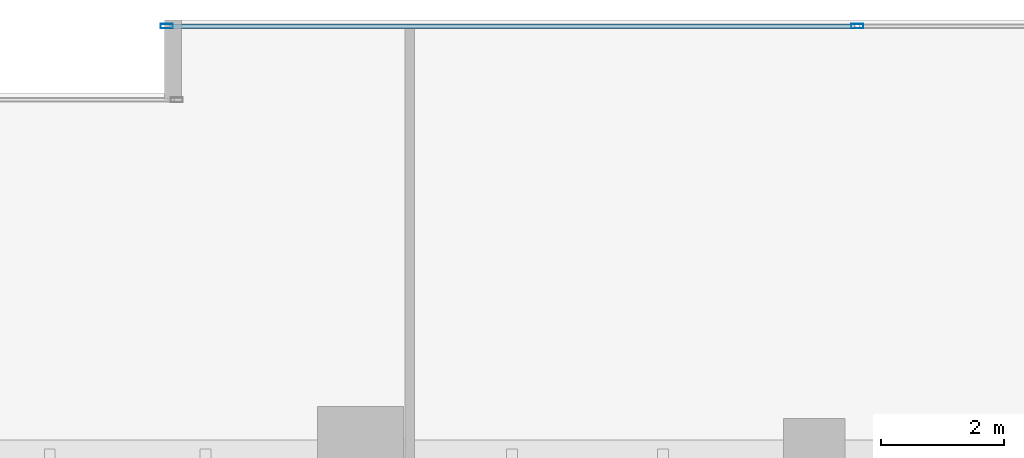
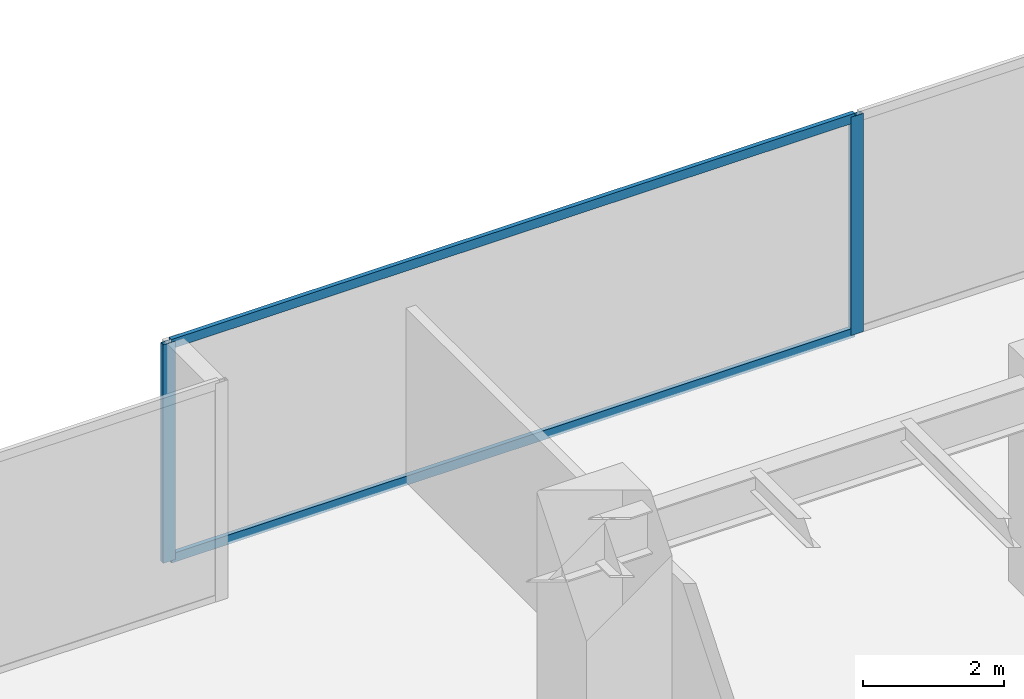
# One storey, part 22 of 35: 4 members, 1 element without a shape of its own.
"""IFC4 building model written with IfcOpenShell, lengths in metres."""

from ifc_helpers import new_model, si_unit, direction, frame, origin, origin_2d, place, context, subcontext, project, spatial, hollow_rectangle, extrude, source, transform, mapped, material, layer, layer_set, material_profile, profile_set, type_object, type_shapes, element, aggregate, save


model = new_model("IFC4")

# Units and contexts
model_context = context("Model", 3, precision=1e-05, world=origin(), true_north=direction((0.0, 1.0)))
body_context = subcontext(model_context, "Body", "Model", "MODEL_VIEW")
ifc_project = project(units=[si_unit("LENGTHUNIT", "METRE"), si_unit("AREAUNIT", "SQUARE_METRE"), si_unit("VOLUMEUNIT", "CUBIC_METRE"), si_unit("PLANEANGLEUNIT", "RADIAN"), si_unit("MASSUNIT", "GRAM", prefix="KILO")], contexts=[model_context])

# Site, building, storey
site_placement = place(None, origin())
site = spatial("IfcSite", under=ifc_project, at=site_placement, CompositionType="ELEMENT")
building_placement = place(site_placement, origin())
building = spatial("IfcBuilding", under=site, at=building_placement, Name="Haelvirn Gate Laboratories", CompositionType="ELEMENT")
storey_placement = place(building_placement, frame((0.0, 0.0, 58.0)))
storey = spatial("IfcBuildingStorey", under=building, at=storey_placement, Name="L14", CompositionType="ELEMENT", Elevation=58.0)

# Curtain wall, members
ifc_material_1 = material(Name="Anodised bronze unitised aluminium & triple low-E glass", Category="aluminium")
ifc_layer = layer(ifc_material_1, 0.18408203125, Name="CW-SYS-2")
ifc_layer_set = layer_set([ifc_layer], Name="Anodised bronze unitised aluminium & triple low-E glass")
curtain_wall_type = type_object("IfcCurtainWallType", Name="CW-SYS-2", PredefinedType="NOTDEFINED", material=ifc_layer_set)
curtain_wall_placement = place(storey_placement, origin())
curtain_wall = element("IfcCurtainWall", 1, at=curtain_wall_placement, inside=storey, type_object=curtain_wall_type, Name="L14 Unitised Curtain Wall CW-L14-P0-E10-1", PredefinedType="NOTDEFINED")
ifc_material_2 = material(Name="Extruded aluminium 6063-T6 (anodised bronze)", Category="aluminium")
ifc_material_profile_1 = material_profile(ifc_material_2, hollow_rectangle(XDim=0.074951171875, YDim=0.199951171875, WallThickness=0.0048828125, at=origin_2d()), Name="CWM-200x75x5")
ifc_profile_set_1 = profile_set([ifc_material_profile_1], Name="Extruded aluminium 6063-T6 (anodised bronze)")
member_type_1 = type_object("IfcMemberType", Name="CWM-T200", PredefinedType="MULLION", material=ifc_profile_set_1)
shared_shape_1 = source(origin(), body_context, "Body", "SweptSolid", [
    extrude(hollow_rectangle(XDim=0.074951171875, YDim=0.199951171875, WallThickness=0.0048828125, at=origin_2d()), origin(), (0.0, 0.0, 1.0), 3.780029296875),
])
type_shapes(member_type_1, [shared_shape_1])
member_1_placement = place(storey_placement, frame((49.4375, 48.5, 0.0), z_axis=(0.0, 0.0, 1.0), x_axis=(0.0, 1.0, 0.0)))
member_1 = element("IfcMember", 2, at=member_1_placement, type_object=member_type_1, Name="CW2 mullion 1", PredefinedType="MULLION", context=body_context, shape_type="MappedRepresentation", body=[
    mapped(shared_shape_1, transform((0.0, 0.0, 0.0), scale=1.0)),
])
member_2_placement = place(storey_placement, frame((60.699951171875, 48.5, 0.0), z_axis=(0.0, 0.0, 1.0), x_axis=(0.0, 1.0, 0.0)))
member_2 = element("IfcMember", 3, at=member_2_placement, type_object=member_type_1, Name="CW2 mullion 2", PredefinedType="MULLION", context=body_context, shape_type="MappedRepresentation", body=[
    mapped(shared_shape_1, transform((0.0, 0.0, 0.0), scale=1.0)),
])
ifc_material_profile_2 = material_profile(ifc_material_2, hollow_rectangle(XDim=0.070068359375, YDim=0.159912109375, WallThickness=0.0048828125, at=origin_2d()), Name="CWT-160x70x5")
ifc_profile_set_2 = profile_set([ifc_material_profile_2], Name="Extruded aluminium 6063-T6 (anodised bronze)")
member_type_2 = type_object("IfcMemberType", Name="CWT-T160", PredefinedType="USERDEFINED", material=ifc_profile_set_2)
shared_shape_2 = source(origin(), body_context, "Body", "SweptSolid", [
    extrude(hollow_rectangle(XDim=0.070068359375, YDim=0.159912109375, WallThickness=0.0048828125, at=origin_2d()), origin(), (0.0, 0.0, 1.0), 11.1875),
])
type_shapes(member_type_2, [shared_shape_2])
member_3_placement = place(storey_placement, frame((49.47509765625, 48.5, 0.034912109375), z_axis=(1.0, 0.0, 0.0), x_axis=(0.0, 1.0, 0.0)))
member_3 = element("IfcMember", 4, at=member_3_placement, type_object=member_type_2, Name="CW2 transom 1.1", ObjectType="TRANSOM", PredefinedType="USERDEFINED", context=body_context, shape_type="MappedRepresentation", body=[
    mapped(shared_shape_2, transform((0.0, 0.0, 0.0), scale=1.0)),
])
member_4_placement = place(storey_placement, frame((49.47509765625, 48.5, 3.7451171875), z_axis=(1.0, 0.0, 0.0), x_axis=(0.0, 1.0, 0.0)))
member_4 = element("IfcMember", 5, at=member_4_placement, type_object=member_type_2, Name="CW2 transom 1.2", ObjectType="TRANSOM", PredefinedType="USERDEFINED", context=body_context, shape_type="MappedRepresentation", body=[
    mapped(shared_shape_2, transform((0.0, 0.0, 0.0), scale=1.0)),
])
aggregate(curtain_wall, [member_1, member_2, member_3, member_4])

save(model, "model.ifc")
